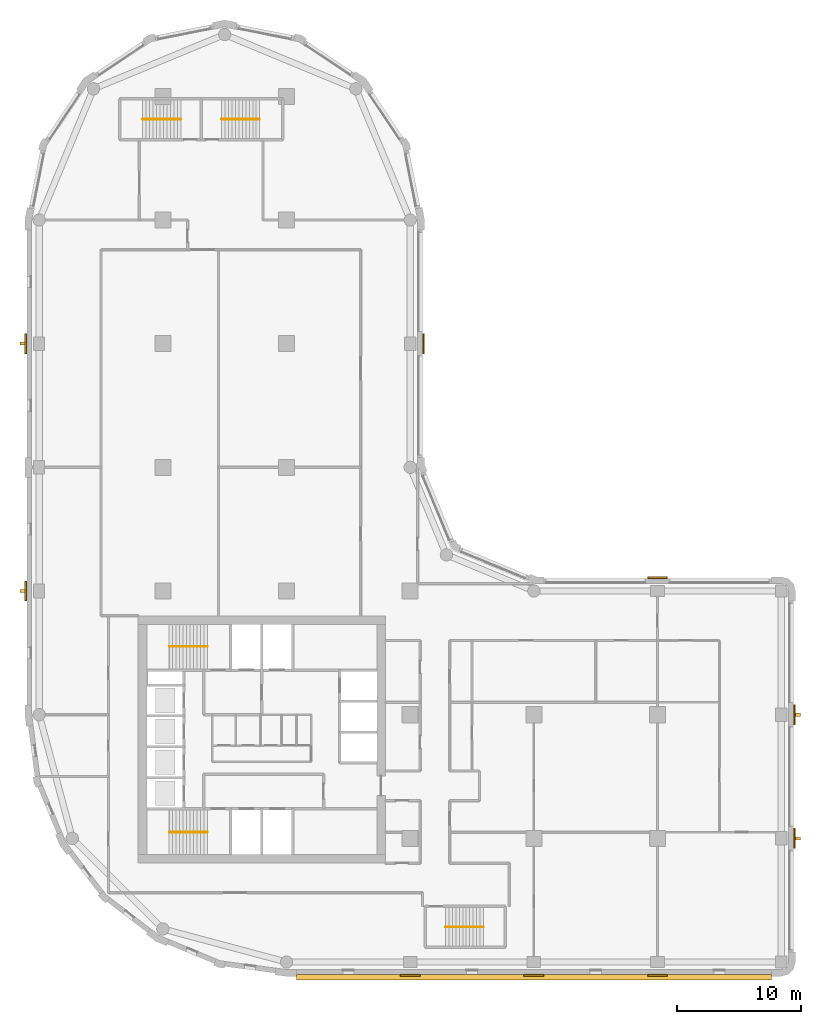
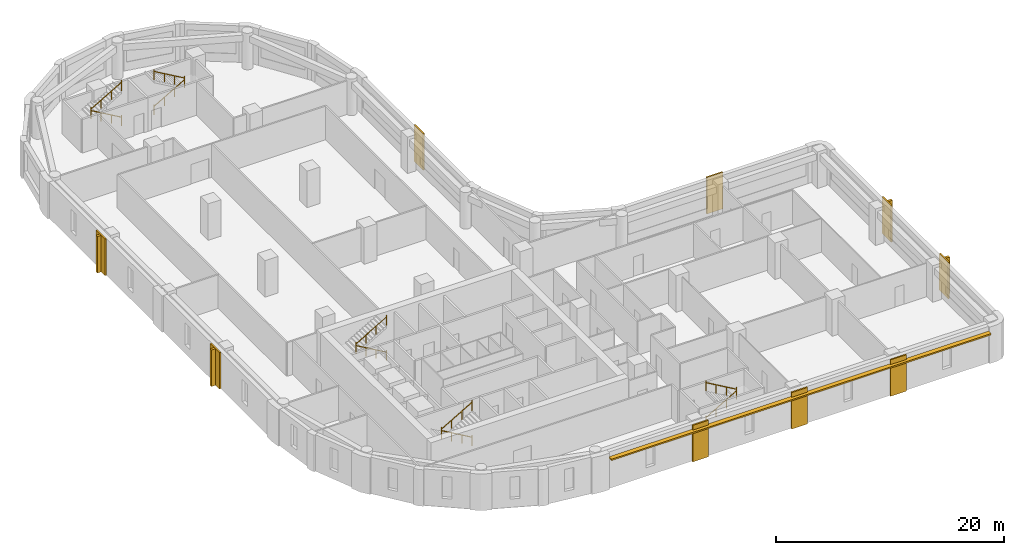
# One storey, part 9 of 10: 10 railings, 9 coverings, 5 shading devices.
"""IFC4 building model written with IfcOpenShell, lengths in metres."""

from ifc_helpers import new_model, si_unit, direction, frame, origin, origin_2d, place, context, subcontext, project, spatial, polyline, rectangle, circle, outline, extrude, material, layer, layer_set, type_object, element, save


model = new_model("IFC4")

# Units and contexts
model_context = context("Model", 3, precision=1e-05, world=origin(), true_north=direction((0.0, 1.0)))
body_context = subcontext(model_context, "Body", "Model", "MODEL_VIEW")
ifc_project = project(units=[si_unit("LENGTHUNIT", "METRE"), si_unit("AREAUNIT", "SQUARE_METRE"), si_unit("VOLUMEUNIT", "CUBIC_METRE"), si_unit("PLANEANGLEUNIT", "RADIAN"), si_unit("MASSUNIT", "GRAM", prefix="KILO")], contexts=[model_context])

# Site, building, storey
site_placement = place(None, origin())
site = spatial("IfcSite", under=ifc_project, at=site_placement, CompositionType="ELEMENT")
building_placement = place(site_placement, origin())
building = spatial("IfcBuilding", under=site, at=building_placement, Name="Qaws Garden Tower", CompositionType="ELEMENT")
storey_placement = place(building_placement, frame((0.0, 0.0, 178.5)))
storey = spatial("IfcBuildingStorey", under=building, at=storey_placement, Name="L43", CompositionType="ELEMENT", Elevation=178.5)

# Coverings
ifc_material_1 = material(Name="Clay facing brick masonry", Category="masonry")
ifc_layer_1 = layer(ifc_material_1, 0.14990234375)
ifc_layer_set_1 = layer_set([ifc_layer_1], Name="Clay facing brick masonry")
covering_type = type_object("IfcCoveringType", Name="Brick pilaster facing 150 x 1600", PredefinedType="CLADDING", material=ifc_layer_set_1)
placement = place(storey_placement, origin())
element("IfcCovering", 1, at=placement, inside=storey, type_object=covering_type, Name="E-L43-pier-01", PredefinedType="CLADDING", context=body_context, shape_type="SweptSolid", body=[
    extrude(outline(polyline([(29.199951171875, -1.0), (30.800048828125, -1.0), (30.800048828125, -1.14990234375), (29.199951171875, -1.14990234375), (29.199951171875, -1.0)])), origin(), (0.0, 0.0, 1.0), 3.89990234375),
])
element("IfcCovering", 2, at=placement, inside=storey, type_object=covering_type, Name="E-L43-pier-02", PredefinedType="CLADDING", context=body_context, shape_type="SweptSolid", body=[
    extrude(outline(polyline([(39.199951171875, -1.0), (40.800048828125, -1.0), (40.800048828125, -1.14990234375), (39.199951171875, -1.14990234375), (39.199951171875, -1.0)])), origin(), (0.0, 0.0, 1.0), 3.89990234375),
])
element("IfcCovering", 3, at=placement, inside=storey, type_object=covering_type, Name="E-L43-pier-03", PredefinedType="CLADDING", context=body_context, shape_type="SweptSolid", body=[
    extrude(outline(polyline([(49.199951171875, -1.0), (50.800048828125, -1.0), (50.800048828125, -1.14990234375), (49.199951171875, -1.14990234375), (49.199951171875, -1.0)])), origin(), (0.0, 0.0, 1.0), 3.89990234375),
])
element("IfcCovering", 4, at=placement, inside=storey, type_object=covering_type, Name="E-L43-pier-05", PredefinedType="CLADDING", context=body_context, shape_type="SweptSolid", body=[
    extrude(outline(polyline([(61.0, 9.199951171875), (61.0, 10.800048828125), (61.14990234375, 10.800048828125), (61.14990234375, 9.199951171875), (61.0, 9.199951171875)])), origin(), (0.0, 0.0, 1.0), 3.89990234375),
])
element("IfcCovering", 5, at=placement, inside=storey, type_object=covering_type, Name="E-L43-pier-06", PredefinedType="CLADDING", context=body_context, shape_type="SweptSolid", body=[
    extrude(outline(polyline([(61.0, 19.199951171875), (61.0, 20.800048828125), (61.14990234375, 20.800048828125), (61.14990234375, 19.199951171875), (61.0, 19.199951171875)])), origin(), (0.0, 0.0, 1.0), 3.89990234375),
])
element("IfcCovering", 6, at=placement, inside=storey, type_object=covering_type, Name="E-L43-pier-08", PredefinedType="CLADDING", context=body_context, shape_type="SweptSolid", body=[
    extrude(outline(polyline([(50.800048828125, 31.0), (49.199951171875, 31.0), (49.199951171875, 31.14990234375), (50.800048828125, 31.14990234375), (50.800048828125, 31.0)])), origin(), (0.0, 0.0, 1.0), 3.89990234375),
])
element("IfcCovering", 7, at=placement, inside=storey, type_object=covering_type, Name="E-L43-pier-12", PredefinedType="CLADDING", context=body_context, shape_type="SweptSolid", body=[
    extrude(outline(polyline([(31.0, 49.199951171875), (31.0, 50.800048828125), (31.14990234375, 50.800048828125), (31.14990234375, 49.199951171875), (31.0, 49.199951171875)])), origin(), (0.0, 0.0, 1.0), 3.89990234375),
])
element("IfcCovering", 8, at=placement, inside=storey, type_object=covering_type, Name="E-L43-pier-22", PredefinedType="CLADDING", context=body_context, shape_type="SweptSolid", body=[
    extrude(outline(polyline([(-1.0, 50.800048828125), (-1.0, 49.199951171875), (-1.14990234375, 49.199951171875), (-1.14990234375, 50.800048828125), (-1.0, 50.800048828125)])), origin(), (0.0, 0.0, 1.0), 3.89990234375),
])
element("IfcCovering", 9, at=placement, inside=storey, type_object=covering_type, Name="E-L43-pier-24", PredefinedType="CLADDING", context=body_context, shape_type="SweptSolid", body=[
    extrude(outline(polyline([(-1.0, 30.800048828125), (-1.0, 29.199951171875), (-1.14990234375, 29.199951171875), (-1.14990234375, 30.800048828125), (-1.0, 30.800048828125)])), origin(), (0.0, 0.0, 1.0), 3.89990234375),
])

# Shading devices
ifc_material_2 = material(Name="Clay facing brick masonry", Category="masonry")
ifc_layer_2 = layer(ifc_material_2, 0.14990234375)
ifc_layer_set_2 = layer_set([ifc_layer_2], Name="Clay facing brick masonry")
shading_device_type_1 = type_object("IfcShadingDeviceType", Name="Brick sunshade band 450 x 150", PredefinedType="JALOUSIE", material=ifc_layer_set_2)
shading_device_placement = place(storey_placement, frame((0.0, 0.0, 3.25)))
element("IfcShadingDevice", 10, at=shading_device_placement, inside=storey, type_object=shading_device_type_1, Name="SUNSHADE 00", PredefinedType="JALOUSIE", context=body_context, shape_type="SweptSolid", body=[
    extrude(outline(polyline([(20.800048828125, -1.0), (20.800048828125, -1.449951171875), (59.199951171875, -1.449951171875), (59.199951171875, -1.0), (50.800048828125, -1.0), (50.800048828125, -1.14990234375), (49.199951171875, -1.14990234375), (49.199951171875, -1.0), (40.800048828125, -1.0), (40.800048828125, -1.14990234375), (39.199951171875, -1.14990234375), (39.199951171875, -1.0), (30.800048828125, -1.0), (30.800048828125, -1.14990234375), (29.199951171875, -1.14990234375), (29.199951171875, -1.0), (20.800048828125, -1.0)])), origin(), (0.0, 0.0, 1.0), 0.14990234375),
])
ifc_material_3 = material(Name="Clay facing brick masonry", Category="masonry")
ifc_layer_3 = layer(ifc_material_3, 0.25)
ifc_layer_set_3 = layer_set([ifc_layer_3], Name="Clay facing brick masonry")
shading_device_type_2 = type_object("IfcShadingDeviceType", Name="Brick-faced fin 250 x 400", PredefinedType="USERDEFINED", material=ifc_layer_set_3)
for number, where, z_axis, x_axis, name in (
    (11, (61.35009765625, 10.0, 0.0), (0.0, 0.0, 1.0), (0.0, 1.0, 0.0), "FIN 05"),
    (12, (61.35009765625, 20.0, 0.0), (0.0, 0.0, 1.0), (0.0, 1.0, 0.0), "FIN 06"),
    (13, (-1.35009765625, 50.0, 0.0), (0.0, 0.0, 1.0), (0.0, -1.0, 0.0), "FIN 22"),
    (14, (-1.35009765625, 30.0, 0.0), (0.0, 0.0, 1.0), (0.0, -1.0, 0.0), "FIN 24"),
):
    element("IfcShadingDevice", number, at=place(storey_placement, frame(where, z_axis=z_axis, x_axis=x_axis)), inside=storey, type_object=shading_device_type_2, Name=name, ObjectType="FIN", PredefinedType="USERDEFINED", context=body_context, shape_type="SweptSolid", body=[
        extrude(rectangle(XDim=0.25, YDim=0.39990234375, at=origin_2d()), origin(), (0.0, 0.0, 1.0), 3.89990234375),
    ])

# Railings
ifc_material_4 = material(Name="Steel S355", Category="steel")
railing_type = type_object("IfcRailingType", Name="Stair handrail 900", PredefinedType="HANDRAIL", material=ifc_material_4)
railing_1_placement = place(storey_placement, frame((13.60009765625, 10.5, 0.16259765625)))
element("IfcRailing", 15, at=railing_1_placement, inside=storey, type_object=railing_type, Name="Stair 1 handrail", PredefinedType="HANDRAIL", context=body_context, shape_type="SweptSolid", body=[
    extrude(circle(Radius=0.02392578125, at=origin_2d()), frame((0.0, 0.0, 0.8759765625), z_axis=(-0.864920483161, 0.0, 0.501908913857), x_axis=(0.0, -1.0, 0.0)), (0.0, 0.0, 1.0), 3.56103515625),
    extrude(circle(Radius=0.02099609375, at=origin_2d()), origin(), (0.0, 0.0, 1.0), 1.06201171875),
    extrude(circle(Radius=0.02099609375, at=origin_2d()), frame((-1.026611328125, 0.0, 0.595703125)), (0.0, 0.0, 1.0), 0.851806640625),
    extrude(circle(Radius=0.02099609375, at=origin_2d()), frame((-2.053466796875, 0.0, 1.191650390625)), (0.0, 0.0, 1.0), 0.851806640625),
    extrude(circle(Radius=0.02099609375, at=origin_2d()), frame((-3.080078125, 0.0, 1.787353515625)), (0.0, 0.0, 1.0), 1.06201171875),
])
railing_2_placement = place(storey_placement, frame((10.52001953125, 10.5, 2.112548828125)))
element("IfcRailing", 16, at=railing_2_placement, inside=storey, type_object=railing_type, Name="Stair 1 handrail", PredefinedType="HANDRAIL", context=body_context, shape_type="SweptSolid", body=[
    extrude(circle(Radius=0.02392578125, at=origin_2d()), frame((0.0, 0.0, 0.8759765625), z_axis=(0.864920483161, 0.0, 0.501908913857), x_axis=(0.0, 1.0, 0.0)), (0.0, 0.0, 1.0), 3.56103515625),
    extrude(circle(Radius=0.02099609375, at=origin_2d()), origin(), (0.0, 0.0, 1.0), 1.06201171875),
    extrude(circle(Radius=0.02099609375, at=origin_2d()), frame((1.026611328125, 0.0, 0.595703125)), (0.0, 0.0, 1.0), 0.851806640625),
    extrude(circle(Radius=0.02099609375, at=origin_2d()), frame((2.053466796875, 0.0, 1.191650390625)), (0.0, 0.0, 1.0), 0.851806640625),
    extrude(circle(Radius=0.02099609375, at=origin_2d()), frame((3.080078125, 0.0, 1.787353515625)), (0.0, 0.0, 1.0), 1.06201171875),
])
railing_3_placement = place(storey_placement, frame((13.60009765625, 25.5, 0.16259765625)))
element("IfcRailing", 17, at=railing_3_placement, inside=storey, type_object=railing_type, Name="Stair 4 handrail", PredefinedType="HANDRAIL", context=body_context, shape_type="SweptSolid", body=[
    extrude(circle(Radius=0.02392578125, at=origin_2d()), frame((0.0, 0.0, 0.8759765625), z_axis=(-0.864920483161, 0.0, 0.501908913857), x_axis=(0.0, -1.0, 0.0)), (0.0, 0.0, 1.0), 3.56103515625),
    extrude(circle(Radius=0.02099609375, at=origin_2d()), origin(), (0.0, 0.0, 1.0), 1.06201171875),
    extrude(circle(Radius=0.02099609375, at=origin_2d()), frame((-1.026611328125, 0.0, 0.595703125)), (0.0, 0.0, 1.0), 0.851806640625),
    extrude(circle(Radius=0.02099609375, at=origin_2d()), frame((-2.053466796875, 0.0, 1.191650390625)), (0.0, 0.0, 1.0), 0.851806640625),
    extrude(circle(Radius=0.02099609375, at=origin_2d()), frame((-3.080078125, 0.0, 1.787353515625)), (0.0, 0.0, 1.0), 1.06201171875),
])
railing_4_placement = place(storey_placement, frame((10.52001953125, 25.5, 2.112548828125)))
element("IfcRailing", 18, at=railing_4_placement, inside=storey, type_object=railing_type, Name="Stair 4 handrail", PredefinedType="HANDRAIL", context=body_context, shape_type="SweptSolid", body=[
    extrude(circle(Radius=0.02392578125, at=origin_2d()), frame((0.0, 0.0, 0.8759765625), z_axis=(0.864920483161, 0.0, 0.501908913857), x_axis=(0.0, 1.0, 0.0)), (0.0, 0.0, 1.0), 3.56103515625),
    extrude(circle(Radius=0.02099609375, at=origin_2d()), origin(), (0.0, 0.0, 1.0), 1.06201171875),
    extrude(circle(Radius=0.02099609375, at=origin_2d()), frame((1.026611328125, 0.0, 0.595703125)), (0.0, 0.0, 1.0), 0.851806640625),
    extrude(circle(Radius=0.02099609375, at=origin_2d()), frame((2.053466796875, 0.0, 1.191650390625)), (0.0, 0.0, 1.0), 0.851806640625),
    extrude(circle(Radius=0.02099609375, at=origin_2d()), frame((3.080078125, 0.0, 1.787353515625)), (0.0, 0.0, 1.0), 1.06201171875),
])
railing_5_placement = place(storey_placement, frame((32.85009765625, 2.85009765625, 0.16259765625)))
element("IfcRailing", 19, at=railing_5_placement, inside=storey, type_object=railing_type, Name="Stair 5 handrail", PredefinedType="HANDRAIL", context=body_context, shape_type="SweptSolid", body=[
    extrude(circle(Radius=0.02392578125, at=origin_2d()), frame((0.0, 0.0, 0.8759765625), z_axis=(0.864903211148, 0.0, 0.501938676878), x_axis=(0.0, 1.0, 0.0)), (0.0, 0.0, 1.0), 3.560791015625),
    extrude(circle(Radius=0.02099609375, at=origin_2d()), origin(), (0.0, 0.0, 1.0), 1.06201171875),
    extrude(circle(Radius=0.02099609375, at=origin_2d()), frame((1.026611328125, 0.0, 0.595703125)), (0.0, 0.0, 1.0), 0.851806640625),
    extrude(circle(Radius=0.02099609375, at=origin_2d()), frame((2.05322265625, 0.0, 1.191650390625)), (0.0, 0.0, 1.0), 0.851806640625),
    extrude(circle(Radius=0.02099609375, at=origin_2d()), frame((3.079833984375, 0.0, 1.787353515625)), (0.0, 0.0, 1.0), 1.06201171875),
])
for number, where, name in (
    (20, (35.929931640625, 2.85009765625, 2.112548828125), "Stair 5 handrail"),
    (21, (11.449951171875, 68.14990234375, 0.16259765625), "Stair 6 handrail"),
):
    element("IfcRailing", number, at=place(storey_placement, frame(where)), inside=storey, type_object=railing_type, Name=name, PredefinedType="HANDRAIL", context=body_context, shape_type="SweptSolid", body=[
        extrude(circle(Radius=0.02392578125, at=origin_2d()), frame((0.0, 0.0, 0.8759765625), z_axis=(-0.864903211148, 0.0, 0.501938676878), x_axis=(0.0, -1.0, 0.0)), (0.0, 0.0, 1.0), 3.560791015625),
        extrude(circle(Radius=0.02099609375, at=origin_2d()), origin(), (0.0, 0.0, 1.0), 1.06201171875),
        extrude(circle(Radius=0.02099609375, at=origin_2d()), frame((-1.026611328125, 0.0, 0.595703125)), (0.0, 0.0, 1.0), 0.851806640625),
        extrude(circle(Radius=0.02099609375, at=origin_2d()), frame((-2.05322265625, 0.0, 1.191650390625)), (0.0, 0.0, 1.0), 0.851806640625),
        extrude(circle(Radius=0.02099609375, at=origin_2d()), frame((-3.079833984375, 0.0, 1.787353515625)), (0.0, 0.0, 1.0), 1.06201171875),
    ])
railing_6_placement = place(storey_placement, frame((8.3701171875, 68.14990234375, 2.112548828125)))
element("IfcRailing", 22, at=railing_6_placement, inside=storey, type_object=railing_type, Name="Stair 6 handrail", PredefinedType="HANDRAIL", context=body_context, shape_type="SweptSolid", body=[
    extrude(circle(Radius=0.02392578125, at=origin_2d()), frame((0.0, 0.0, 0.8759765625), z_axis=(0.864903211148, 0.0, 0.501938676878), x_axis=(0.0, 1.0, 0.0)), (0.0, 0.0, 1.0), 3.560791015625),
    extrude(circle(Radius=0.02099609375, at=origin_2d()), origin(), (0.0, 0.0, 1.0), 1.06201171875),
    extrude(circle(Radius=0.02099609375, at=origin_2d()), frame((1.026611328125, 0.0, 0.595703125)), (0.0, 0.0, 1.0), 0.851806640625),
    extrude(circle(Radius=0.02099609375, at=origin_2d()), frame((2.05322265625, 0.0, 1.191650390625)), (0.0, 0.0, 1.0), 0.851806640625),
    extrude(circle(Radius=0.02099609375, at=origin_2d()), frame((3.079833984375, 0.0, 1.787353515625)), (0.0, 0.0, 1.0), 1.06201171875),
])
railing_7_placement = place(storey_placement, frame((14.75, 68.14990234375, 0.16259765625)))
element("IfcRailing", 23, at=railing_7_placement, inside=storey, type_object=railing_type, Name="Stair 7 handrail", PredefinedType="HANDRAIL", context=body_context, shape_type="SweptSolid", body=[
    extrude(circle(Radius=0.02392578125, at=origin_2d()), frame((0.0, 0.0, 0.8759765625), z_axis=(0.864920483161, 0.0, 0.501908913857), x_axis=(0.0, 1.0, 0.0)), (0.0, 0.0, 1.0), 3.56103515625),
    extrude(circle(Radius=0.02099609375, at=origin_2d()), origin(), (0.0, 0.0, 1.0), 1.06201171875),
    extrude(circle(Radius=0.02099609375, at=origin_2d()), frame((1.026611328125, 0.0, 0.595703125)), (0.0, 0.0, 1.0), 0.851806640625),
    extrude(circle(Radius=0.02099609375, at=origin_2d()), frame((2.053466796875, 0.0, 1.191650390625)), (0.0, 0.0, 1.0), 0.851806640625),
    extrude(circle(Radius=0.02099609375, at=origin_2d()), frame((3.080078125, 0.0, 1.787353515625)), (0.0, 0.0, 1.0), 1.06201171875),
])
railing_8_placement = place(storey_placement, frame((17.830078125, 68.14990234375, 2.112548828125)))
element("IfcRailing", 24, at=railing_8_placement, inside=storey, type_object=railing_type, Name="Stair 7 handrail", PredefinedType="HANDRAIL", context=body_context, shape_type="SweptSolid", body=[
    extrude(circle(Radius=0.02392578125, at=origin_2d()), frame((0.0, 0.0, 0.8759765625), z_axis=(-0.864920483161, 0.0, 0.501908913857), x_axis=(0.0, -1.0, 0.0)), (0.0, 0.0, 1.0), 3.56103515625),
    extrude(circle(Radius=0.02099609375, at=origin_2d()), origin(), (0.0, 0.0, 1.0), 1.06201171875),
    extrude(circle(Radius=0.02099609375, at=origin_2d()), frame((-1.026611328125, 0.0, 0.595703125)), (0.0, 0.0, 1.0), 0.851806640625),
    extrude(circle(Radius=0.02099609375, at=origin_2d()), frame((-2.053466796875, 0.0, 1.191650390625)), (0.0, 0.0, 1.0), 0.851806640625),
    extrude(circle(Radius=0.02099609375, at=origin_2d()), frame((-3.080078125, 0.0, 1.787353515625)), (0.0, 0.0, 1.0), 1.06201171875),
])

save(model, "model.ifc")
